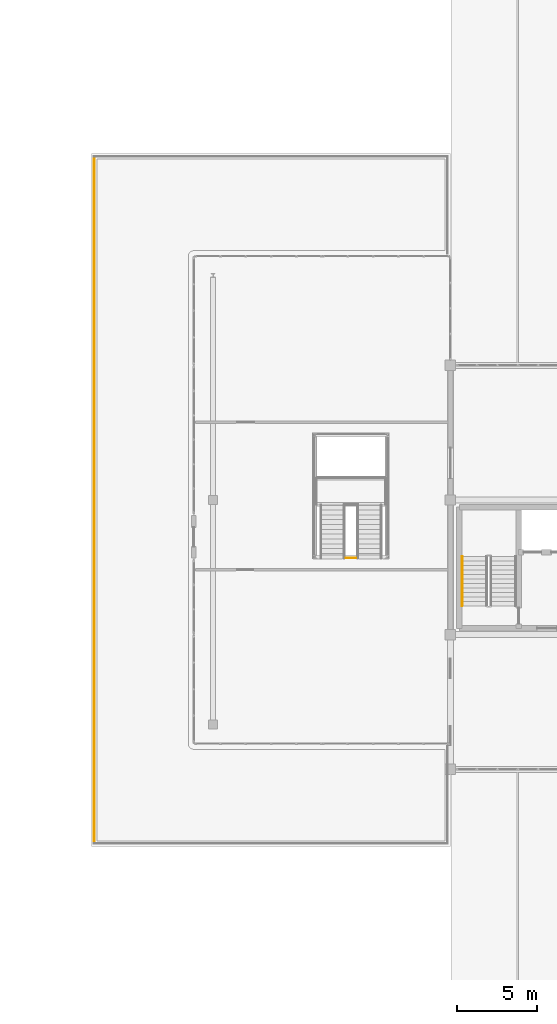
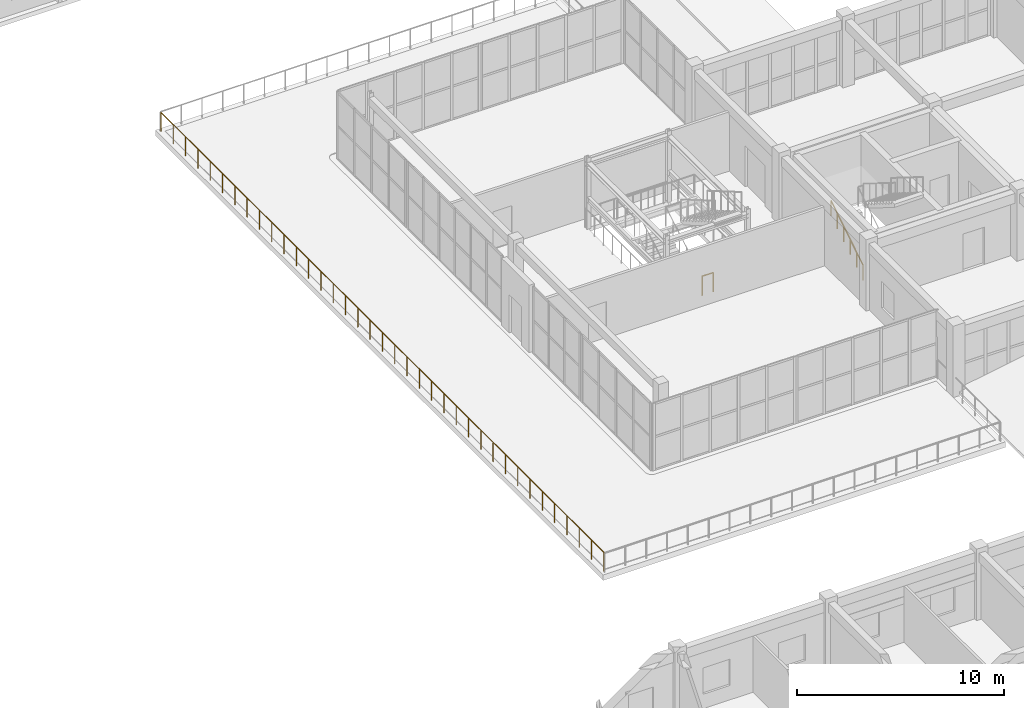
# One storey, part 80 of 90: 3 railings.
"""IFC4 building model written with IfcOpenShell, lengths in metres."""

from ifc_helpers import new_model, si_unit, direction, frame, origin, origin_2d, place, context, subcontext, project, spatial, circle, extrude, material, type_object, element, save


model = new_model("IFC4")

# Units and contexts
model_context = context("Model", 3, precision=1e-05, world=origin(), true_north=direction((0.0, 1.0)))
body_context = subcontext(model_context, "Body", "Model", "MODEL_VIEW")
ifc_project = project(units=[si_unit("LENGTHUNIT", "METRE"), si_unit("AREAUNIT", "SQUARE_METRE"), si_unit("VOLUMEUNIT", "CUBIC_METRE"), si_unit("PLANEANGLEUNIT", "RADIAN"), si_unit("MASSUNIT", "GRAM", prefix="KILO")], contexts=[model_context])

# Site, building, storey
site_placement = place(None, origin())
site = spatial("IfcSite", under=ifc_project, at=site_placement, CompositionType="ELEMENT")
building_placement = place(site_placement, origin())
building = spatial("IfcBuilding", under=site, at=building_placement, Name="Trelvath General Hospital", CompositionType="ELEMENT")
storey_placement = place(building_placement, frame((0.0, 0.0, 20.39990234375)))
storey = spatial("IfcBuildingStorey", under=building, at=storey_placement, Name="L05", CompositionType="ELEMENT", Elevation=20.39990234375)

# Railings
ifc_material_1 = material(Name="Architectural painted steel", Category="steel")
railing_type_1 = type_object("IfcRailingType", Name="Guardrail Terrace1150", PredefinedType="GUARDRAIL", material=ifc_material_1)
railing_1_placement = place(storey_placement, frame((53.3798828125, 37.43994140625, 0.0)))
element("IfcRailing", 1, at=railing_1_placement, inside=storey, type_object=railing_type_1, Name="Cube Terrace Guardrail TERR-CW-U5 2 30", PredefinedType="GUARDRAIL", context=body_context, shape_type="SweptSolid", body=[
    extrude(circle(Radius=0.02392578125, at=origin_2d()), frame((0.0, 0.0, 1.1259765625), z_axis=(0.0, 1.0, 0.0), x_axis=(-1.0, 0.0, 0.0)), (0.0, 0.0, 1.0), 42.719970703125),
    extrude(circle(Radius=0.02099609375, at=origin_2d()), origin(), (0.0, 0.0, 1.0), 1.099853515625),
    extrude(circle(Radius=0.02099609375, at=origin_2d()), frame((0.0, 1.186767578125, 0.0)), (0.0, 0.0, 1.0), 1.099853515625),
    extrude(circle(Radius=0.02099609375, at=origin_2d()), frame((0.0, 2.373291015625, 0.0)), (0.0, 0.0, 1.0), 1.099853515625),
    extrude(circle(Radius=0.02099609375, at=origin_2d()), frame((0.0, 3.56005859375, 0.0)), (0.0, 0.0, 1.0), 1.099853515625),
    extrude(circle(Radius=0.02099609375, at=origin_2d()), frame((0.0, 4.74658203125, 0.0)), (0.0, 0.0, 1.0), 1.099853515625),
    extrude(circle(Radius=0.02099609375, at=origin_2d()), frame((0.0, 5.933349609375, 0.0)), (0.0, 0.0, 1.0), 1.099853515625),
    extrude(circle(Radius=0.02099609375, at=origin_2d()), frame((0.0, 7.1201171875, 0.0)), (0.0, 0.0, 1.0), 1.099853515625),
    extrude(circle(Radius=0.02099609375, at=origin_2d()), frame((0.0, 8.306640625, 0.0)), (0.0, 0.0, 1.0), 1.099853515625),
    extrude(circle(Radius=0.02099609375, at=origin_2d()), frame((0.0, 9.493408203125, 0.0)), (0.0, 0.0, 1.0), 1.099853515625),
    extrude(circle(Radius=0.02099609375, at=origin_2d()), frame((0.0, 10.679931640625, 0.0)), (0.0, 0.0, 1.0), 1.099853515625),
    extrude(circle(Radius=0.02099609375, at=origin_2d()), frame((0.0, 11.86669921875, 0.0)), (0.0, 0.0, 1.0), 1.099853515625),
    extrude(circle(Radius=0.02099609375, at=origin_2d()), frame((0.0, 13.05322265625, 0.0)), (0.0, 0.0, 1.0), 1.099853515625),
    extrude(circle(Radius=0.02099609375, at=origin_2d()), frame((0.0, 14.239990234375, 0.0)), (0.0, 0.0, 1.0), 1.099853515625),
    extrude(circle(Radius=0.02099609375, at=origin_2d()), frame((0.0, 15.4267578125, 0.0)), (0.0, 0.0, 1.0), 1.099853515625),
    extrude(circle(Radius=0.02099609375, at=origin_2d()), frame((0.0, 16.61328125, 0.0)), (0.0, 0.0, 1.0), 1.099853515625),
    extrude(circle(Radius=0.02099609375, at=origin_2d()), frame((0.0, 17.800048828125, 0.0)), (0.0, 0.0, 1.0), 1.099853515625),
    extrude(circle(Radius=0.02099609375, at=origin_2d()), frame((0.0, 18.986572265625, 0.0)), (0.0, 0.0, 1.0), 1.099853515625),
    extrude(circle(Radius=0.02099609375, at=origin_2d()), frame((0.0, 20.17333984375, 0.0)), (0.0, 0.0, 1.0), 1.099853515625),
    extrude(circle(Radius=0.02099609375, at=origin_2d()), frame((0.0, 21.35986328125, 0.0)), (0.0, 0.0, 1.0), 1.099853515625),
    extrude(circle(Radius=0.02099609375, at=origin_2d()), frame((0.0, 22.546630859375, 0.0)), (0.0, 0.0, 1.0), 1.099853515625),
    extrude(circle(Radius=0.02099609375, at=origin_2d()), frame((0.0, 23.7333984375, 0.0)), (0.0, 0.0, 1.0), 1.099853515625),
    extrude(circle(Radius=0.02099609375, at=origin_2d()), frame((0.0, 24.919921875, 0.0)), (0.0, 0.0, 1.0), 1.099853515625),
    extrude(circle(Radius=0.02099609375, at=origin_2d()), frame((0.0, 26.106689453125, 0.0)), (0.0, 0.0, 1.0), 1.099853515625),
    extrude(circle(Radius=0.02099609375, at=origin_2d()), frame((0.0, 27.293212890625, 0.0)), (0.0, 0.0, 1.0), 1.099853515625),
    extrude(circle(Radius=0.02099609375, at=origin_2d()), frame((0.0, 28.47998046875, 0.0)), (0.0, 0.0, 1.0), 1.099853515625),
    extrude(circle(Radius=0.02099609375, at=origin_2d()), frame((0.0, 29.666748046875, 0.0)), (0.0, 0.0, 1.0), 1.099853515625),
    extrude(circle(Radius=0.02099609375, at=origin_2d()), frame((0.0, 30.853271484375, 0.0)), (0.0, 0.0, 1.0), 1.099853515625),
    extrude(circle(Radius=0.02099609375, at=origin_2d()), frame((0.0, 32.0400390625, 0.0)), (0.0, 0.0, 1.0), 1.099853515625),
    extrude(circle(Radius=0.02099609375, at=origin_2d()), frame((0.0, 33.2265625, 0.0)), (0.0, 0.0, 1.0), 1.099853515625),
    extrude(circle(Radius=0.02099609375, at=origin_2d()), frame((0.0, 34.413330078125, 0.0)), (0.0, 0.0, 1.0), 1.099853515625),
    extrude(circle(Radius=0.02099609375, at=origin_2d()), frame((0.0, 35.60009765625, 0.0)), (0.0, 0.0, 1.0), 1.099853515625),
    extrude(circle(Radius=0.02099609375, at=origin_2d()), frame((0.0, 36.78662109375, 0.0)), (0.0, 0.0, 1.0), 1.099853515625),
    extrude(circle(Radius=0.02099609375, at=origin_2d()), frame((0.0, 37.973388671875, 0.0)), (0.0, 0.0, 1.0), 1.099853515625),
    extrude(circle(Radius=0.02099609375, at=origin_2d()), frame((0.0, 39.159912109375, 0.0)), (0.0, 0.0, 1.0), 1.099853515625),
    extrude(circle(Radius=0.02099609375, at=origin_2d()), frame((0.0, 40.3466796875, 0.0)), (0.0, 0.0, 1.0), 1.099853515625),
    extrude(circle(Radius=0.02099609375, at=origin_2d()), frame((0.0, 41.533203125, 0.0)), (0.0, 0.0, 1.0), 1.099853515625),
    extrude(circle(Radius=0.02099609375, at=origin_2d()), frame((0.0, 42.719970703125, 0.0)), (0.0, 0.0, 1.0), 1.099853515625),
])
railing_2_placement = place(storey_placement, frame((69.090087890625, 55.179931640625, 0.0)))
element("IfcRailing", 2, at=railing_2_placement, inside=storey, type_object=railing_type_1, Name="Atrium Mid-Slot Guard S CUBE-W-T2 L05 390", PredefinedType="GUARDRAIL", context=body_context, shape_type="SweptSolid", body=[
    extrude(circle(Radius=0.02392578125, at=origin_2d()), frame((0.0, 0.0, 1.1259765625), z_axis=(1.0, 0.0, 0.0), x_axis=(0.0, 1.0, 0.0)), (0.0, 0.0, 1.0), 0.619873046875),
    extrude(circle(Radius=0.02099609375, at=origin_2d()), origin(), (0.0, 0.0, 1.0), 1.099853515625),
    extrude(circle(Radius=0.02099609375, at=origin_2d()), frame((0.619873046875, 0.0, 0.0)), (0.0, 0.0, 1.0), 1.099853515625),
])
ifc_material_2 = material(Name="Brushed stainless steel", Category="steel")
railing_type_2 = type_object("IfcRailingType", Name="Handrail Stair900", PredefinedType="HANDRAIL", material=ifc_material_2)
railing_3_placement = place(storey_placement, frame((76.330078125, 52.199951171875, 0.175048828125)))
element("IfcRailing", 3, at=railing_3_placement, inside=storey, type_object=railing_type_2, Name="Stair Rail ST6 L05 F1 L 223", PredefinedType="HANDRAIL", context=body_context, shape_type="SweptSolid", body=[
    extrude(circle(Radius=0.02392578125, at=origin_2d()), frame((0.0, 0.0, 0.8759765625), z_axis=(0.0, 0.847998304005, 0.529998940003), x_axis=(-1.0, 0.0, 0.0)), (0.0, 0.0, 1.0), 3.632080078125),
    extrude(circle(Radius=0.02099609375, at=origin_2d()), origin(), (0.0, 0.0, 1.0), 0.849853515625),
    extrude(circle(Radius=0.02099609375, at=origin_2d()), frame((0.0, 0.615966796875, 0.385009765625)), (0.0, 0.0, 1.0), 0.849853515625),
    extrude(circle(Radius=0.02099609375, at=origin_2d()), frame((0.0, 1.23193359375, 0.77001953125)), (0.0, 0.0, 1.0), 0.849853515625),
    extrude(circle(Radius=0.02099609375, at=origin_2d()), frame((0.0, 1.84814453125, 1.155029296875)), (0.0, 0.0, 1.0), 0.849853515625),
    extrude(circle(Radius=0.02099609375, at=origin_2d()), frame((0.0, 2.464111328125, 1.5400390625)), (0.0, 0.0, 1.0), 0.849853515625),
    extrude(circle(Radius=0.02099609375, at=origin_2d()), frame((0.0, 3.080078125, 1.925048828125)), (0.0, 0.0, 1.0), 0.849853515625),
])

save(model, "model.ifc")
